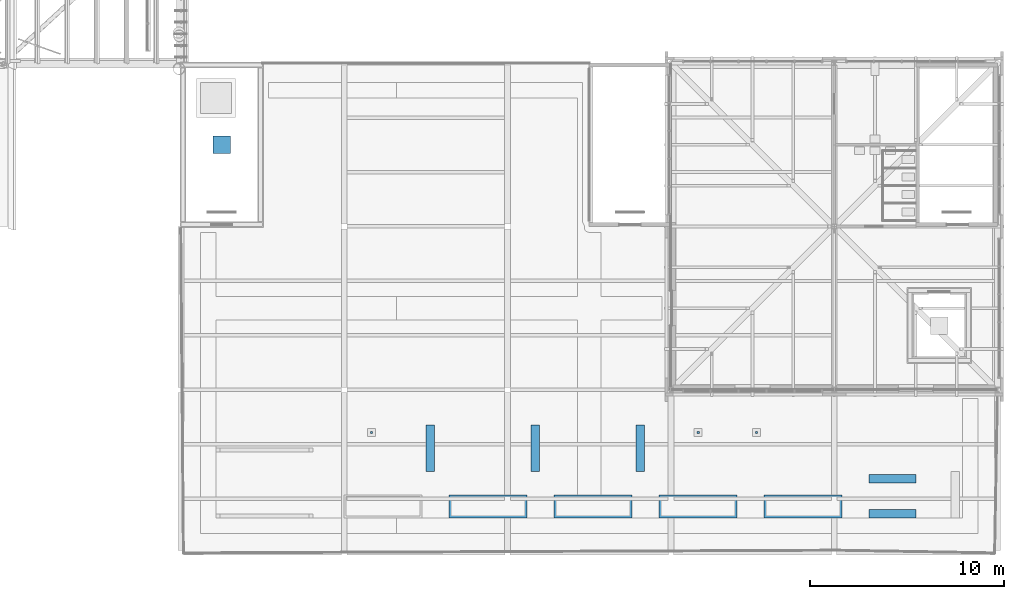
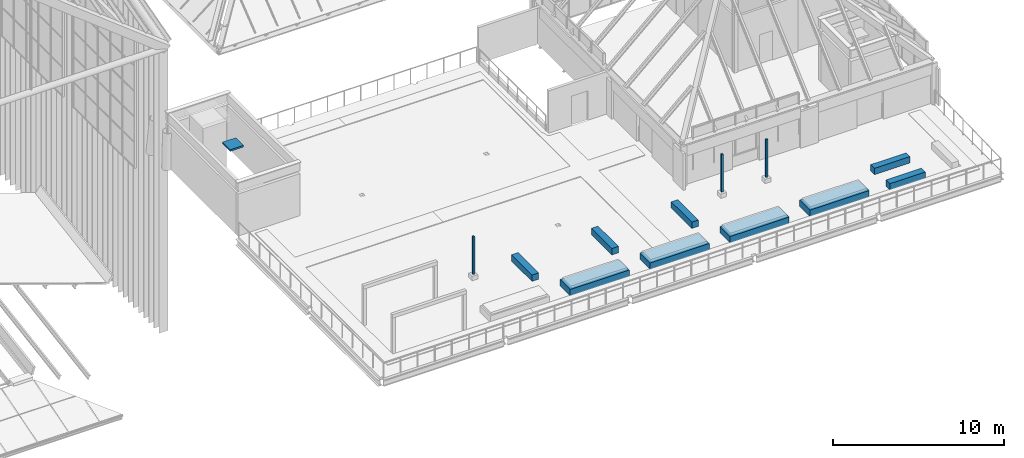
# One storey, part 85 of 126: 13 discrete accessories.
"""IFC4 building model written with IfcOpenShell, lengths in metres."""

import ifcopenshell
import ifcopenshell.guid

model = None  # the IFC model being written
_history = None  # IfcOwnerHistory: only IFC2X3 demands one
_inside = {}  # id of a spatial element -> (the spatial element, [elements in it])
_under = {}  # id of a project, library or spatial element -> (it, [spatial elements below it])
_declared = {}  # id of a project -> (the project, [libraries it declares])
_typed = {}  # id of a type object -> (the type object, [elements of that type])
_made_of = {}  # id of a material, layer set ... -> (it, [elements and type objects made of it])


def new_model(schema):
    """Start an empty IFC model of exactly this schema.

    Asked for "IFC4X3", IfcOpenShell would pick the latest addendum, in which some entities
    have other attributes; the version numbers below select the first issue.
    IFC2X3 requires an IfcOwnerHistory on every rooted entity: one is made here for all.
    """
    global model, _history
    if schema == "IFC4X3":
        model = ifcopenshell.file(schema_version=(4, 3, 0, 0))
    else:
        model = ifcopenshell.file(schema=schema)
    _inside.clear()
    _under.clear()
    _declared.clear()
    _typed.clear()
    _made_of.clear()
    _history = None
    if model.schema == "IFC2X3":
        org = make("IfcOrganization", Name="unknown")
        user = make(
            "IfcPersonAndOrganization",
            ThePerson=make("IfcPerson", FamilyName="unknown"),
            TheOrganization=org,
        )
        app = make(
            "IfcApplication",
            ApplicationDeveloper=org,
            Version="unknown",
            ApplicationFullName="unknown",
            ApplicationIdentifier="unknown",
        )
        _history = make(
            "IfcOwnerHistory",
            OwningUser=user,
            OwningApplication=app,
            ChangeAction="ADDED",
            CreationDate=0,
        )
    return model


def make(cls, **values):
    """One entity of the class cls with the attributes given. An attribute that is None is left unset."""
    return model.create_entity(
        cls, **{name: value for name, value in values.items() if value is not None}
    )


def rooted(cls, **values):
    """An entity with a GlobalId (a new one), such as an element, a storey or a relation."""
    return make(cls, GlobalId=ifcopenshell.guid.new(), OwnerHistory=_history, **values)


def si_unit(unit_type, name, prefix=None):
    """IfcSIUnit, for example si_unit("LENGTHUNIT", "METRE", prefix="MILLI")."""
    return make("IfcSIUnit", UnitType=unit_type, Prefix=prefix, Name=name)


def assignment(units):
    """IfcUnitAssignment: the units of a project."""
    return None if units is None else make("IfcUnitAssignment", Units=units)


def point(xyz):
    """IfcCartesianPoint."""
    return None if xyz is None else make("IfcCartesianPoint", Coordinates=xyz)


def direction(xyz):
    """IfcDirection."""
    return None if xyz is None else make("IfcDirection", DirectionRatios=xyz)


def frame(location, z_axis=None, x_axis=None):
    """IfcAxis2Placement3D, a coordinate frame: its origin and axes. An axis left out is left unset."""
    return make(
        "IfcAxis2Placement3D",
        Location=point(location),
        Axis=direction(z_axis),
        RefDirection=direction(x_axis),
    )


def frame_2d(location, x_axis=None):
    """IfcAxis2Placement2D, a coordinate frame in the plane: its origin and x axis."""
    return make(
        "IfcAxis2Placement2D", Location=point(location), RefDirection=direction(x_axis)
    )


def origin():
    """The frame at (0, 0, 0) with its axes left unset."""
    return frame((0.0, 0.0, 0.0))


def origin_2d():
    """The frame at (0, 0) in the plane with its x axis left unset."""
    return frame_2d((0.0, 0.0))


def place(relative_to, where):
    """IfcLocalPlacement: puts the frame where relative to a parent placement (None: the world)."""
    return make(
        "IfcLocalPlacement", PlacementRelTo=relative_to, RelativePlacement=where
    )


def context(
    kind, dimensions, precision=None, world=None, true_north=None, identifier=None
):
    """IfcGeometricRepresentationContext, for example the 3D "Model" context."""
    return make(
        "IfcGeometricRepresentationContext",
        ContextIdentifier=identifier,
        ContextType=kind,
        CoordinateSpaceDimension=dimensions,
        Precision=precision,
        WorldCoordinateSystem=world,
        TrueNorth=true_north,
    )


def subcontext(parent, identifier, kind, view, scale=None):
    """IfcGeometricRepresentationSubContext, for example "Body" below "Model"."""
    return make(
        "IfcGeometricRepresentationSubContext",
        ContextIdentifier=identifier,
        ContextType=kind,
        ParentContext=parent,
        TargetScale=scale,
        TargetView=view,
    )


def project(units=None, contexts=None):
    """IfcProject with its units and contexts."""
    return rooted(
        "IfcProject",
        Name="project",
        RepresentationContexts=contexts,
        UnitsInContext=assignment(units),
    )


def spatial(cls, under=None, at=None, **own):
    """A site, building, storey or space (cls), placed at a placement, below another one or the project."""
    s = rooted(cls, ObjectPlacement=at, **own)
    if under is not None:
        _under.setdefault(under.id(), (under, []))[1].append(s)
    return s


def profile(cls, at=None, kind="AREA", **sizes):
    """A parametric profile (cls). Its sizes go by their IFC names, for example OverallWidth=200.0."""
    return make(cls, ProfileType=kind, Position=at, **sizes)


def rectangle(**sizes):
    """IfcRectangleProfileDef."""
    return profile("IfcRectangleProfileDef", **sizes)


def extrude(swept, where, along, depth):
    """IfcExtrudedAreaSolid: the profile swept, set in the frame where, extruded along a direction by depth."""
    return make(
        "IfcExtrudedAreaSolid",
        SweptArea=swept,
        Position=where,
        ExtrudedDirection=direction(along),
        Depth=depth,
    )


def shape(context_of_items, identifier, shape_type, items):
    """IfcShapeRepresentation: the items that make up one representation, for example the "Body"."""
    return make(
        "IfcShapeRepresentation",
        ContextOfItems=context_of_items,
        RepresentationIdentifier=identifier,
        RepresentationType=shape_type,
        Items=items,
    )


def material(Name=None, Category=None):
    """IfcMaterial."""
    return make("IfcMaterial", Name=Name, Category=Category)


def made_of(thing, what):
    """Note that an element or type object is made of a material, layer set ...; save() writes the relation."""
    if what is not None:
        _made_of.setdefault(what.id(), (what, []))[1].append(thing)
    return thing


def type_object(cls, material=None, **own):
    """A type object (cls), such as IfcWallType, which elements share."""
    return made_of(rooted(cls, **own), material)


def element(
    cls,
    number,
    at=None,
    inside=None,
    cuts=None,
    type_object=None,
    material=None,
    context=None,
    identifier="Body",
    shape_type=None,
    held_by="IfcProductDefinitionShape",
    body=None,
    shapes=None,
    **own,
):
    """One element of the class cls, such as IfcWall. Its Tag is "e" and its number.

    at: its placement. inside: the storey or other place that contains it. cuts: it is an
    opening in that element (IfcRelVoidsElement). A single representation is given by context,
    identifier, shape_type and body (its items); several are given by shapes. held_by: the class
    of the entity that holds the representations. save() writes the other relations.
    """
    e = rooted(cls, Tag="e%d" % number, ObjectPlacement=at, **own)
    if body is not None:
        shapes = [shape(context, identifier, shape_type, body)]
    if shapes is not None:
        e.Representation = make(held_by, Representations=shapes)
    if inside is not None:
        _inside.setdefault(inside.id(), (inside, []))[1].append(e)
    if cuts is not None:
        rooted(
            "IfcRelVoidsElement", RelatingBuildingElement=cuts, RelatedOpeningElement=e
        )
    if type_object is not None:
        _typed.setdefault(type_object.id(), (type_object, []))[1].append(e)
    return made_of(e, material)


def aggregate(whole, parts):
    """IfcRelAggregates: a whole, such as a stair, and the parts it consists of."""
    return rooted("IfcRelAggregates", RelatingObject=whole, RelatedObjects=parts)


def save(model, path):
    """Write the relations noted so far, then the file.

    IfcRelAggregates (storeys below a building ...), IfcRelContainedInSpatialStructure (elements
    in a storey), IfcRelDefinesByType, IfcRelAssociatesMaterial and IfcRelDeclares: one each for
    every whole, place, type object, material and project.
    """
    for whole, parts in _under.values():
        aggregate(whole, parts)
    for where, things in _inside.values():
        rooted(
            "IfcRelContainedInSpatialStructure",
            RelatedElements=things,
            RelatingStructure=where,
        )
    for kind, things in _typed.values():
        rooted("IfcRelDefinesByType", RelatedObjects=things, RelatingType=kind)
    for what, things in _made_of.values():
        rooted("IfcRelAssociatesMaterial", RelatedObjects=things, RelatingMaterial=what)
    for by, libraries in _declared.values():
        rooted("IfcRelDeclares", RelatingContext=by, RelatedDefinitions=libraries)
    model.write(path)


model = new_model("IFC4")

# Units and contexts
model_context = context("Model", 3, precision=1e-05, world=origin(), true_north=direction((0.0, 1.0)))
body_context = subcontext(model_context, "Body", "Model", "MODEL_VIEW")
ifc_project = project(units=[si_unit("LENGTHUNIT", "METRE"), si_unit("AREAUNIT", "SQUARE_METRE"), si_unit("VOLUMEUNIT", "CUBIC_METRE"), si_unit("PLANEANGLEUNIT", "RADIAN"), si_unit("MASSUNIT", "GRAM", prefix="KILO")], contexts=[model_context])

# Site, building, storey
site_placement = place(None, origin())
site = spatial("IfcSite", under=ifc_project, at=site_placement, CompositionType="ELEMENT")
building_placement = place(site_placement, origin())
building = spatial("IfcBuilding", under=site, at=building_placement, Name="Sava Quay Ferry Terminal", CompositionType="ELEMENT")
storey_placement = place(building_placement, frame((0.0, 0.0, 15.0)))
storey = spatial("IfcBuildingStorey", under=building, at=storey_placement, Name="L03", CompositionType="ELEMENT", Elevation=15.0)

# Discrete accessories
ifc_material_1 = material(Name="Timber", Category="wood")
discrete_accessory_type_1 = type_object("IfcDiscreteAccessoryType", Name="Garden bench 2400x450", PredefinedType="NOTDEFINED", material=ifc_material_1)
for number, where, z_axis, x_axis, name in (
    (1, (120.60009765625, 27.22509765625, 0.0), (0.0, 0.0, 1.0), (1.0, 0.0, 0.0), "Garden bench"),
    (2, (120.60009765625, 29.02490234375, 0.0), (0.0, 0.0, 1.0), (1.0, 0.0, 0.0), "Garden bench"),
):
    element("IfcDiscreteAccessory", number, at=place(storey_placement, frame(where, z_axis=z_axis, x_axis=x_axis)), inside=storey, type_object=discrete_accessory_type_1, Name=name, PredefinedType="NOTDEFINED", context=body_context, shape_type="SweptSolid", body=[
        extrude(rectangle(XDim=2.39990234375, YDim=0.449951171875, at=origin_2d()), origin(), (0.0, 0.0, 1.0), 0.449951171875),
    ])
for number, where, z_axis, x_axis, name in (
    (3, (96.824951171875, 30.60009765625, 0.0), (0.0, 0.0, 1.0), (1.0, 0.0, 0.0), "Garden bench"),
    (4, (102.22509765625, 30.60009765625, 0.0), (0.0, 0.0, 1.0), (1.0, 0.0, 0.0), "Garden bench"),
    (5, (107.625, 30.60009765625, 0.0), (0.0, 0.0, 1.0), (1.0, 0.0, 0.0), "Garden bench"),
):
    element("IfcDiscreteAccessory", number, at=place(storey_placement, frame(where, z_axis=z_axis, x_axis=x_axis)), inside=storey, type_object=discrete_accessory_type_1, Name=name, PredefinedType="NOTDEFINED", context=body_context, shape_type="SweptSolid", body=[
        extrude(rectangle(XDim=0.449951171875, YDim=2.39990234375, at=origin_2d()), origin(), (0.0, 0.0, 1.0), 0.449951171875),
    ])
ifc_material_2 = material(Name="Galvanised steel S355J2", Category="steel")
discrete_accessory_type_2 = type_object("IfcDiscreteAccessoryType", Name="Roof access hatch 900x900", PredefinedType="NOTDEFINED", material=ifc_material_2)
discrete_accessory_placement = place(storey_placement, frame((86.10009765625, 46.199951171875, 3.199951171875), z_axis=(0.0, 0.0, 1.0), x_axis=(1.0, 0.0, 0.0)))
element("IfcDiscreteAccessory", 6, at=discrete_accessory_placement, inside=storey, type_object=discrete_accessory_type_2, Name="Roof access hatch ST-P1", PredefinedType="NOTDEFINED", context=body_context, shape_type="SweptSolid", body=[
    extrude(rectangle(XDim=0.89990234375, YDim=0.89990234375, at=origin_2d()), origin(), (0.0, 0.0, 1.0), 0.1201171875),
])
ifc_material_3 = material(Name="Precast concrete C30/37", Category="concrete")
discrete_accessory_type_3 = type_object("IfcDiscreteAccessoryType", Name="Roof planter 4000x1200", PredefinedType="NOTDEFINED", material=ifc_material_3)
for number, where, z_axis, x_axis, name in (
    (7, (99.800048828125, 27.60009765625, 0.0), (0.0, 0.0, 1.0), (1.0, 0.0, 0.0), "Roof planter"),
    (8, (105.199951171875, 27.60009765625, 0.0), (0.0, 0.0, 1.0), (1.0, 0.0, 0.0), "Roof planter"),
    (9, (110.60009765625, 27.60009765625, 0.0), (0.0, 0.0, 1.0), (1.0, 0.0, 0.0), "Roof planter"),
    (10, (116.0, 27.60009765625, 0.0), (0.0, 0.0, 1.0), (1.0, 0.0, 0.0), "Roof planter"),
):
    element("IfcDiscreteAccessory", number, at=place(storey_placement, frame(where, z_axis=z_axis, x_axis=x_axis)), inside=storey, type_object=discrete_accessory_type_3, Name=name, PredefinedType="NOTDEFINED", context=body_context, shape_type="SweptSolid", body=[
        extrude(rectangle(XDim=4.0, YDim=1.199951171875, at=origin_2d()), origin(), (0.0, 0.0, 1.0), 0.449951171875),
    ])
ifc_material_4 = material(Name="Galvanised steel S355J2", Category="steel")
discrete_accessory_type_4 = type_object("IfcDiscreteAccessoryType", Name="Terrace lamp post 2700", PredefinedType="NOTDEFINED", material=ifc_material_4)
for number, where, z_axis, x_axis, name in (
    (11, (93.800048828125, 31.39990234375, 0.2998046875), (0.0, 0.0, 1.0), (1.0, 0.0, 0.0), "Terrace lamp post"),
    (12, (110.60009765625, 31.39990234375, 0.2998046875), (0.0, 0.0, 1.0), (1.0, 0.0, 0.0), "Terrace lamp post"),
    (13, (113.60009765625, 31.39990234375, 0.2998046875), (0.0, 0.0, 1.0), (1.0, 0.0, 0.0), "Terrace lamp post"),
):
    element("IfcDiscreteAccessory", number, at=place(storey_placement, frame(where, z_axis=z_axis, x_axis=x_axis)), inside=storey, type_object=discrete_accessory_type_4, Name=name, PredefinedType="NOTDEFINED", context=body_context, shape_type="SweptSolid", body=[
        extrude(rectangle(XDim=0.1201171875, YDim=0.1201171875, at=origin_2d()), origin(), (0.0, 0.0, 1.0), 2.699951171875),
    ])

save(model, "model.ifc")
